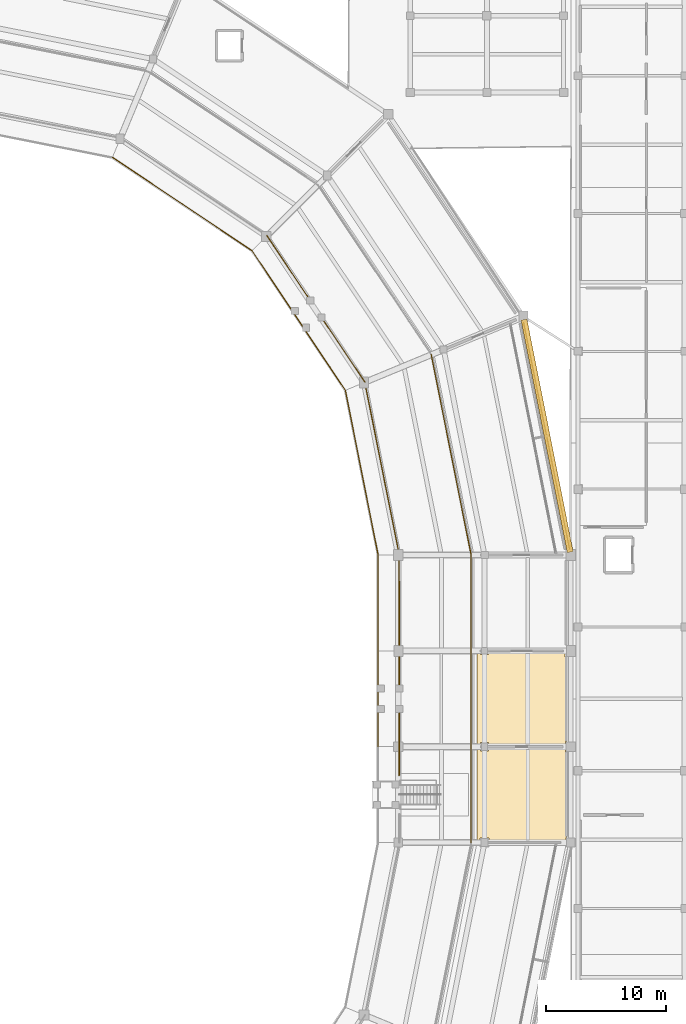
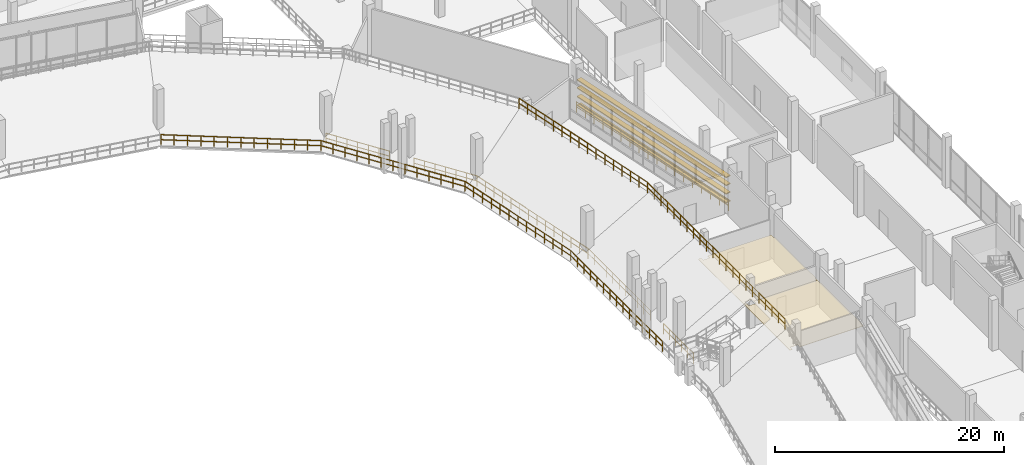
# One storey, part 115 of 127: 15 railings, 4 shading devices, 2 coverings.
"""IFC4 building model written with IfcOpenShell, lengths in metres."""

from ifc_helpers import new_model, si_unit, direction, frame, origin, origin_2d, place, context, subcontext, project, spatial, polyline, rectangle, circle, outline, extrude, material, layer, layer_set, type_object, element, save


model = new_model("IFC4")

# Units and contexts
model_context = context("Model", 3, precision=1e-05, world=origin(), true_north=direction((0.0, 1.0)))
body_context = subcontext(model_context, "Body", "Model", "MODEL_VIEW")
ifc_project = project(units=[si_unit("LENGTHUNIT", "METRE"), si_unit("AREAUNIT", "SQUARE_METRE"), si_unit("VOLUMEUNIT", "CUBIC_METRE"), si_unit("PLANEANGLEUNIT", "RADIAN"), si_unit("MASSUNIT", "GRAM", prefix="KILO")], contexts=[model_context])

# Site, building, storey
site_placement = place(None, origin())
site = spatial("IfcSite", under=ifc_project, at=site_placement, CompositionType="ELEMENT")
building_placement = place(site_placement, origin())
building = spatial("IfcBuilding", under=site, at=building_placement, Name="Candeia Ridge Stadium", CompositionType="ELEMENT")
storey_placement = place(building_placement, frame((0.0, 0.0, 10.800048828125)))
storey = spatial("IfcBuildingStorey", under=building, at=storey_placement, Name="L02", CompositionType="ELEMENT", Elevation=10.800048828125)

# Coverings
ifc_material_1 = material(Name="Western Red Cedar Acoustic Slat", Category="wood")
ifc_layer_1 = layer(ifc_material_1, 0.044921875, Name="Western Red Cedar Acoustic Slat", Category="wood")
ifc_layer_set_1 = layer_set([ifc_layer_1], Name="Western Red Cedar Acoustic Slat")
covering_type = type_object("IfcCoveringType", Name="Slatted Cedar Acoustic Ceiling 45", PredefinedType="CEILING", material=ifc_layer_set_1)
covering_1_placement = place(storey_placement, frame((0.0, 0.0, 2.510009765625)))
element("IfcCovering", 1, at=covering_1_placement, inside=storey, type_object=covering_type, Name="Acoustic ceiling Club Hospitality Suite L02-30", PredefinedType="CEILING", context=body_context, shape_type="SweptSolid", body=[
    extrude(outline(polyline([(185.170654296875, 79.005859375), (185.17138671875, 79.0087890625), (185.17236328125, 79.011474609375), (185.173583984375, 79.01416015625), (185.175048828125, 79.0166015625), (185.1767578125, 79.01904296875), (185.1787109375, 79.021240234375), (185.180908203125, 79.023193359375), (185.183349609375, 79.02490234375), (185.185791015625, 79.026611328125), (185.1884765625, 79.027587890625), (185.19140625, 79.02880859375), (185.194091796875, 79.029296875), (185.197021484375, 79.02978515625), (185.199951171875, 79.030029296875), (185.449951171875, 79.030029296875), (185.449951171875, 78.64990234375), (186.14990234375, 78.64990234375), (186.14990234375, 79.030029296875), (192.56005859375, 79.030029296875), (192.56005859375, 78.56005859375), (192.6298828125, 78.56005859375), (192.6298828125, 71.419921875), (192.580078125, 71.419921875), (192.580078125, 71.010009765625), (186.179931640625, 71.010009765625), (186.179931640625, 71.3798828125), (185.419921875, 71.3798828125), (185.419921875, 71.010009765625), (185.199951171875, 71.010009765625), (185.197021484375, 71.010009765625), (185.194091796875, 71.010498046875), (185.19140625, 71.01123046875), (185.1884765625, 71.01220703125), (185.185791015625, 71.013427734375), (185.183349609375, 71.01513671875), (185.180908203125, 71.016845703125), (185.1787109375, 71.018798828125), (185.1767578125, 71.02099609375), (185.175048828125, 71.023193359375), (185.173583984375, 71.02587890625), (185.17236328125, 71.028564453125), (185.17138671875, 71.03125), (185.170654296875, 71.0341796875), (185.170166015625, 71.037109375), (185.169921875, 71.0400390625), (185.169921875, 79.0), (185.170166015625, 79.0029296875), (185.170654296875, 79.005859375)])), origin(), (0.0, 0.0, 1.0), 0.0400390625),
])
covering_2_placement = place(storey_placement, frame((0.0, 0.0, 2.510009765625)))
element("IfcCovering", 2, at=covering_2_placement, inside=storey, type_object=covering_type, Name="Acoustic ceiling Club Lounge Champagne Bar L02-31", PredefinedType="CEILING", context=body_context, shape_type="SweptSolid", body=[
    extrude(outline(polyline([(185.170654296875, 87.005859375), (185.17138671875, 87.0087890625), (185.17236328125, 87.011474609375), (185.173583984375, 87.01416015625), (185.175048828125, 87.0166015625), (185.1767578125, 87.01904296875), (185.1787109375, 87.021240234375), (185.180908203125, 87.023193359375), (185.183349609375, 87.02490234375), (185.185791015625, 87.026611328125), (185.1884765625, 87.027587890625), (185.19140625, 87.02880859375), (185.194091796875, 87.029296875), (185.197021484375, 87.02978515625), (185.199951171875, 87.030029296875), (185.47998046875, 87.030029296875), (185.47998046875, 86.679931640625), (186.1201171875, 86.679931640625), (186.1201171875, 87.030029296875), (192.510009765625, 87.030029296875), (192.510009765625, 86.510009765625), (192.6298828125, 86.510009765625), (192.6298828125, 79.43994140625), (192.56005859375, 79.43994140625), (192.56005859375, 79.010009765625), (186.14990234375, 79.010009765625), (186.14990234375, 79.35009765625), (185.449951171875, 79.35009765625), (185.449951171875, 79.010009765625), (185.199951171875, 79.010009765625), (185.197021484375, 79.010009765625), (185.194091796875, 79.010498046875), (185.19140625, 79.01123046875), (185.1884765625, 79.01220703125), (185.185791015625, 79.013427734375), (185.183349609375, 79.01513671875), (185.180908203125, 79.016845703125), (185.1787109375, 79.018798828125), (185.1767578125, 79.02099609375), (185.175048828125, 79.023193359375), (185.173583984375, 79.02587890625), (185.17236328125, 79.028564453125), (185.17138671875, 79.03125), (185.170654296875, 79.0341796875), (185.170166015625, 79.037109375), (185.169921875, 79.0400390625), (185.169921875, 87.0), (185.170166015625, 87.0029296875), (185.170654296875, 87.005859375)])), origin(), (0.0, 0.0, 1.0), 0.0400390625),
])

# Railings
ifc_material_2 = material(Name="Galvanized Powder-Coated Steel", Category="steel")
ifc_layer_2 = layer(ifc_material_2, 0.074951171875, Name="Galvanized Powder-Coated Steel", Category="steel")
ifc_layer_set_2 = layer_set([ifc_layer_2], Name="Galvanized Powder-Coated Steel")
railing_type = type_object("IfcRailingType", Name="Spectator Bowl Front Guardrail 1120", PredefinedType="GUARDRAIL", material=ifc_layer_set_2)
for number, where, name in (
    (3, (184.679931640625, 71.0, 4.949951171875), "Stand T2 rear safety guardrail bay 30"),
    (4, (176.919921875, 79.0, 0.39990234375), "Stand T2 front safety guardrail bay 31"),
    (5, (184.679931640625, 79.0, 4.949951171875), "Stand T2 rear safety guardrail bay 31"),
    (6, (176.919921875, 87.0, 0.39990234375), "Stand T2 front safety guardrail bay 32"),
    (7, (184.679931640625, 87.0, 4.949951171875), "Stand T2 rear safety guardrail bay 32"),
):
    element("IfcRailing", number, at=place(storey_placement, frame(where)), inside=storey, type_object=railing_type, Name=name, PredefinedType="GUARDRAIL", context=body_context, shape_type="SweptSolid", body=[
        extrude(circle(Radius=0.02392578125, at=origin_2d()), frame((0.0, 0.0, 1.09619140625), z_axis=(0.0, 1.0, 0.0), x_axis=(-1.0, 0.0, 0.0)), (0.0, 0.0, 1.0), 8.0),
        extrude(circle(Radius=0.02392578125, at=origin_2d()), frame((0.0, 0.0, 0.56005859375), z_axis=(0.0, 1.0, 0.0), x_axis=(-1.0, 0.0, 0.0)), (0.0, 0.0, 1.0), 8.0),
        extrude(circle(Radius=0.02099609375, at=origin_2d()), origin(), (0.0, 0.0, 1.0), 1.072021484375),
        extrude(circle(Radius=0.02099609375, at=origin_2d()), frame((0.0, 1.142822265625, 0.0)), (0.0, 0.0, 1.0), 1.072021484375),
        extrude(circle(Radius=0.02099609375, at=origin_2d()), frame((0.0, 2.28564453125, 0.0)), (0.0, 0.0, 1.0), 1.072021484375),
        extrude(circle(Radius=0.02099609375, at=origin_2d()), frame((0.0, 3.428466796875, 0.0)), (0.0, 0.0, 1.0), 1.072021484375),
        extrude(circle(Radius=0.02099609375, at=origin_2d()), frame((0.0, 4.571533203125, 0.0)), (0.0, 0.0, 1.0), 1.072021484375),
        extrude(circle(Radius=0.02099609375, at=origin_2d()), frame((0.0, 5.71435546875, 0.0)), (0.0, 0.0, 1.0), 1.072021484375),
        extrude(circle(Radius=0.02099609375, at=origin_2d()), frame((0.0, 6.857177734375, 0.0)), (0.0, 0.0, 1.0), 1.072021484375),
        extrude(circle(Radius=0.02099609375, at=origin_2d()), frame((0.0, 8.0, 0.0)), (0.0, 0.0, 1.0), 1.072021484375),
    ])
railing_1_placement = place(storey_placement, frame((176.919921875, 95.0, 0.39990234375)))
element("IfcRailing", 8, at=railing_1_placement, inside=storey, type_object=railing_type, Name="Stand T2 front safety guardrail bay 33", PredefinedType="GUARDRAIL", context=body_context, shape_type="SweptSolid", body=[
    extrude(circle(Radius=0.02392578125, at=origin_2d()), frame((0.0, 0.0, 1.09619140625), z_axis=(-0.195080905976, 0.980787153323, 0.0), x_axis=(-0.980787153323, -0.195080905976, 0.0)), (0.0, 0.0, 1.0), 14.015380859375),
    extrude(circle(Radius=0.02392578125, at=origin_2d()), frame((0.0, 0.0, 0.56005859375), z_axis=(-0.195080905976, 0.980787153323, 0.0), x_axis=(-0.980787153323, -0.195080905976, 0.0)), (0.0, 0.0, 1.0), 14.015380859375),
    extrude(circle(Radius=0.02099609375, at=origin_2d()), origin(), (0.0, 0.0, 1.0), 1.072021484375),
    extrude(circle(Radius=0.02099609375, at=origin_2d()), frame((-0.227783203125, 1.1455078125, 0.0)), (0.0, 0.0, 1.0), 1.072021484375),
    extrude(circle(Radius=0.02099609375, at=origin_2d()), frame((-0.45556640625, 2.291015625, 0.0)), (0.0, 0.0, 1.0), 1.072021484375),
    extrude(circle(Radius=0.02099609375, at=origin_2d()), frame((-0.68359375, 3.4365234375, 0.0)), (0.0, 0.0, 1.0), 1.072021484375),
    extrude(circle(Radius=0.02099609375, at=origin_2d()), frame((-0.911376953125, 4.58203125, 0.0)), (0.0, 0.0, 1.0), 1.072021484375),
    extrude(circle(Radius=0.02099609375, at=origin_2d()), frame((-1.13916015625, 5.7275390625, 0.0)), (0.0, 0.0, 1.0), 1.072021484375),
    extrude(circle(Radius=0.02099609375, at=origin_2d()), frame((-1.3671875, 6.873046875, 0.0)), (0.0, 0.0, 1.0), 1.072021484375),
    extrude(circle(Radius=0.02099609375, at=origin_2d()), frame((-1.594970703125, 8.0185546875, 0.0)), (0.0, 0.0, 1.0), 1.072021484375),
    extrude(circle(Radius=0.02099609375, at=origin_2d()), frame((-1.82275390625, 9.1640625, 0.0)), (0.0, 0.0, 1.0), 1.072021484375),
    extrude(circle(Radius=0.02099609375, at=origin_2d()), frame((-2.050537109375, 10.3095703125, 0.0)), (0.0, 0.0, 1.0), 1.072021484375),
    extrude(circle(Radius=0.02099609375, at=origin_2d()), frame((-2.2783203125, 11.455078125, 0.0)), (0.0, 0.0, 1.0), 1.072021484375),
    extrude(circle(Radius=0.02099609375, at=origin_2d()), frame((-2.50634765625, 12.6005859375, 0.0)), (0.0, 0.0, 1.0), 1.072021484375),
    extrude(circle(Radius=0.02099609375, at=origin_2d()), frame((-2.734130859375, 13.74609375, 0.0)), (0.0, 0.0, 1.0), 1.072021484375),
])
railing_2_placement = place(storey_placement, frame((184.679931640625, 95.0, 4.949951171875)))
element("IfcRailing", 9, at=railing_2_placement, inside=storey, type_object=railing_type, Name="Stand T2 rear safety guardrail bay 33", PredefinedType="GUARDRAIL", context=body_context, shape_type="SweptSolid", body=[
    extrude(circle(Radius=0.02392578125, at=origin_2d()), frame((0.0, 0.0, 1.09619140625), z_axis=(-0.195091244467, 0.980785096916, 0.0), x_axis=(-0.980785096916, -0.195091244467, 0.0)), (0.0, 0.0, 1.0), 17.04296875),
    extrude(circle(Radius=0.02392578125, at=origin_2d()), frame((0.0, 0.0, 0.56005859375), z_axis=(-0.195091244467, 0.980785096916, 0.0), x_axis=(-0.980785096916, -0.195091244467, 0.0)), (0.0, 0.0, 1.0), 17.04296875),
    extrude(circle(Radius=0.02099609375, at=origin_2d()), origin(), (0.0, 0.0, 1.0), 1.072021484375),
    extrude(circle(Radius=0.02099609375, at=origin_2d()), frame((-0.2216796875, 1.1142578125, 0.0)), (0.0, 0.0, 1.0), 1.072021484375),
    extrude(circle(Radius=0.02099609375, at=origin_2d()), frame((-0.443359375, 2.228759765625, 0.0)), (0.0, 0.0, 1.0), 1.072021484375),
    extrude(circle(Radius=0.02099609375, at=origin_2d()), frame((-0.6650390625, 3.343017578125, 0.0)), (0.0, 0.0, 1.0), 1.072021484375),
    extrude(circle(Radius=0.02099609375, at=origin_2d()), frame((-0.88671875, 4.45751953125, 0.0)), (0.0, 0.0, 1.0), 1.072021484375),
    extrude(circle(Radius=0.02099609375, at=origin_2d()), frame((-1.1083984375, 5.57177734375, 0.0)), (0.0, 0.0, 1.0), 1.072021484375),
    extrude(circle(Radius=0.02099609375, at=origin_2d()), frame((-1.330078125, 6.686279296875, 0.0)), (0.0, 0.0, 1.0), 1.072021484375),
    extrude(circle(Radius=0.02099609375, at=origin_2d()), frame((-1.5517578125, 7.800537109375, 0.0)), (0.0, 0.0, 1.0), 1.072021484375),
    extrude(circle(Radius=0.02099609375, at=origin_2d()), frame((-1.773193359375, 8.9150390625, 0.0)), (0.0, 0.0, 1.0), 1.072021484375),
    extrude(circle(Radius=0.02099609375, at=origin_2d()), frame((-1.994873046875, 10.029296875, 0.0)), (0.0, 0.0, 1.0), 1.072021484375),
    extrude(circle(Radius=0.02099609375, at=origin_2d()), frame((-2.216552734375, 11.143798828125, 0.0)), (0.0, 0.0, 1.0), 1.072021484375),
    extrude(circle(Radius=0.02099609375, at=origin_2d()), frame((-2.438232421875, 12.258056640625, 0.0)), (0.0, 0.0, 1.0), 1.072021484375),
    extrude(circle(Radius=0.02099609375, at=origin_2d()), frame((-2.659912109375, 13.37255859375, 0.0)), (0.0, 0.0, 1.0), 1.072021484375),
    extrude(circle(Radius=0.02099609375, at=origin_2d()), frame((-2.881591796875, 14.48681640625, 0.0)), (0.0, 0.0, 1.0), 1.072021484375),
    extrude(circle(Radius=0.02099609375, at=origin_2d()), frame((-3.103271484375, 15.601318359375, 0.0)), (0.0, 0.0, 1.0), 1.072021484375),
    extrude(circle(Radius=0.02099609375, at=origin_2d()), frame((-3.324951171875, 16.715576171875, 0.0)), (0.0, 0.0, 1.0), 1.072021484375),
])
railing_3_placement = place(storey_placement, frame((174.185791015625, 108.74609375, 0.39990234375)))
element("IfcRailing", 10, at=railing_3_placement, inside=storey, type_object=railing_type, Name="Stand T2 front safety guardrail bay 34", PredefinedType="GUARDRAIL", context=body_context, shape_type="SweptSolid", body=[
    extrude(circle(Radius=0.02392578125, at=origin_2d()), frame((0.0, 0.0, 1.09619140625), z_axis=(-0.555584268224, 0.831460234107, 0.0), x_axis=(-0.831460234107, -0.555584268224, 0.0)), (0.0, 0.0, 1.0), 14.01513671875),
    extrude(circle(Radius=0.02392578125, at=origin_2d()), frame((0.0, 0.0, 0.56005859375), z_axis=(-0.555584268224, 0.831460234107, 0.0), x_axis=(-0.831460234107, -0.555584268224, 0.0)), (0.0, 0.0, 1.0), 14.01513671875),
    extrude(circle(Radius=0.02099609375, at=origin_2d()), origin(), (0.0, 0.0, 1.0), 1.072021484375),
    extrude(circle(Radius=0.02099609375, at=origin_2d()), frame((-0.64892578125, 0.97119140625, 0.0)), (0.0, 0.0, 1.0), 1.072021484375),
    extrude(circle(Radius=0.02099609375, at=origin_2d()), frame((-1.2978515625, 1.942138671875, 0.0)), (0.0, 0.0, 1.0), 1.072021484375),
    extrude(circle(Radius=0.02099609375, at=origin_2d()), frame((-1.94677734375, 2.913330078125, 0.0)), (0.0, 0.0, 1.0), 1.072021484375),
    extrude(circle(Radius=0.02099609375, at=origin_2d()), frame((-2.595458984375, 3.88427734375, 0.0)), (0.0, 0.0, 1.0), 1.072021484375),
    extrude(circle(Radius=0.02099609375, at=origin_2d()), frame((-3.244384765625, 4.85546875, 0.0)), (0.0, 0.0, 1.0), 1.072021484375),
    extrude(circle(Radius=0.02099609375, at=origin_2d()), frame((-3.893310546875, 5.82666015625, 0.0)), (0.0, 0.0, 1.0), 1.072021484375),
    extrude(circle(Radius=0.02099609375, at=origin_2d()), frame((-4.542236328125, 6.797607421875, 0.0)), (0.0, 0.0, 1.0), 1.072021484375),
    extrude(circle(Radius=0.02099609375, at=origin_2d()), frame((-5.191162109375, 7.768798828125, 0.0)), (0.0, 0.0, 1.0), 1.072021484375),
    extrude(circle(Radius=0.02099609375, at=origin_2d()), frame((-5.83984375, 8.73974609375, 0.0)), (0.0, 0.0, 1.0), 1.072021484375),
    extrude(circle(Radius=0.02099609375, at=origin_2d()), frame((-6.48876953125, 9.7109375, 0.0)), (0.0, 0.0, 1.0), 1.072021484375),
    extrude(circle(Radius=0.02099609375, at=origin_2d()), frame((-7.1376953125, 10.681884765625, 0.0)), (0.0, 0.0, 1.0), 1.072021484375),
    extrude(circle(Radius=0.02099609375, at=origin_2d()), frame((-7.78662109375, 11.653076171875, 0.0)), (0.0, 0.0, 1.0), 1.072021484375),
])
railing_4_placement = place(storey_placement, frame((166.399169921875, 120.399169921875, 0.39990234375)))
element("IfcRailing", 11, at=railing_4_placement, inside=storey, type_object=railing_type, Name="Stand T2 front safety guardrail bay 35", PredefinedType="GUARDRAIL", context=body_context, shape_type="SweptSolid", body=[
    extrude(circle(Radius=0.02392578125, at=origin_2d()), frame((0.0, 0.0, 1.09619140625), z_axis=(-0.831460234107, 0.555584268224, 0.0), x_axis=(-0.555584268224, -0.831460234107, 0.0)), (0.0, 0.0, 1.0), 14.01513671875),
    extrude(circle(Radius=0.02392578125, at=origin_2d()), frame((0.0, 0.0, 0.56005859375), z_axis=(-0.831460234107, 0.555584268224, 0.0), x_axis=(-0.555584268224, -0.831460234107, 0.0)), (0.0, 0.0, 1.0), 14.01513671875),
    extrude(circle(Radius=0.02099609375, at=origin_2d()), origin(), (0.0, 0.0, 1.0), 1.072021484375),
    extrude(circle(Radius=0.02099609375, at=origin_2d()), frame((-0.97119140625, 0.64892578125, 0.0)), (0.0, 0.0, 1.0), 1.072021484375),
    extrude(circle(Radius=0.02099609375, at=origin_2d()), frame((-1.942138671875, 1.2978515625, 0.0)), (0.0, 0.0, 1.0), 1.072021484375),
    extrude(circle(Radius=0.02099609375, at=origin_2d()), frame((-2.913330078125, 1.94677734375, 0.0)), (0.0, 0.0, 1.0), 1.072021484375),
    extrude(circle(Radius=0.02099609375, at=origin_2d()), frame((-3.88427734375, 2.595458984375, 0.0)), (0.0, 0.0, 1.0), 1.072021484375),
    extrude(circle(Radius=0.02099609375, at=origin_2d()), frame((-4.85546875, 3.244384765625, 0.0)), (0.0, 0.0, 1.0), 1.072021484375),
    extrude(circle(Radius=0.02099609375, at=origin_2d()), frame((-5.82666015625, 3.893310546875, 0.0)), (0.0, 0.0, 1.0), 1.072021484375),
    extrude(circle(Radius=0.02099609375, at=origin_2d()), frame((-6.797607421875, 4.542236328125, 0.0)), (0.0, 0.0, 1.0), 1.072021484375),
    extrude(circle(Radius=0.02099609375, at=origin_2d()), frame((-7.768798828125, 5.191162109375, 0.0)), (0.0, 0.0, 1.0), 1.072021484375),
    extrude(circle(Radius=0.02099609375, at=origin_2d()), frame((-8.73974609375, 5.83984375, 0.0)), (0.0, 0.0, 1.0), 1.072021484375),
    extrude(circle(Radius=0.02099609375, at=origin_2d()), frame((-9.7109375, 6.48876953125, 0.0)), (0.0, 0.0, 1.0), 1.072021484375),
    extrude(circle(Radius=0.02099609375, at=origin_2d()), frame((-10.681884765625, 7.1376953125, 0.0)), (0.0, 0.0, 1.0), 1.072021484375),
    extrude(circle(Radius=0.02099609375, at=origin_2d()), frame((-11.653076171875, 7.78662109375, 0.0)), (0.0, 0.0, 1.0), 1.072021484375),
])
railing_5_placement = place(storey_placement, frame((188.963134765625, 114.8837890625, 0.0)))
element("IfcRailing", 12, at=railing_5_placement, inside=storey, type_object=railing_type, Name="Deck edge safety guardrail GR-DE-L02-0074", PredefinedType="GUARDRAIL", context=body_context, shape_type="SweptSolid", body=[
    extrude(circle(Radius=0.02392578125, at=origin_2d()), frame((0.0, 0.0, 1.09619140625), z_axis=(0.198632089417, -0.980074126306, 0.0), x_axis=(0.980074126306, 0.198632089417, 0.0)), (0.0, 0.0, 1.0), 20.055419921875),
    extrude(circle(Radius=0.02392578125, at=origin_2d()), frame((0.0, 0.0, 0.56005859375), z_axis=(0.198632089417, -0.980074126306, 0.0), x_axis=(0.980074126306, 0.198632089417, 0.0)), (0.0, 0.0, 1.0), 20.055419921875),
    extrude(circle(Radius=0.02099609375, at=origin_2d()), origin(), (0.0, 0.0, 1.0), 1.072021484375),
    extrude(circle(Radius=0.02099609375, at=origin_2d()), frame((0.234375, -1.15625, 0.0)), (0.0, 0.0, 1.0), 1.072021484375),
    extrude(circle(Radius=0.02099609375, at=origin_2d()), frame((0.46875, -2.3125, 0.0)), (0.0, 0.0, 1.0), 1.072021484375),
    extrude(circle(Radius=0.02099609375, at=origin_2d()), frame((0.702880859375, -3.46875, 0.0)), (0.0, 0.0, 1.0), 1.072021484375),
    extrude(circle(Radius=0.02099609375, at=origin_2d()), frame((0.937255859375, -4.625, 0.0)), (0.0, 0.0, 1.0), 1.072021484375),
    extrude(circle(Radius=0.02099609375, at=origin_2d()), frame((1.171630859375, -5.781005859375, 0.0)), (0.0, 0.0, 1.0), 1.072021484375),
    extrude(circle(Radius=0.02099609375, at=origin_2d()), frame((1.406005859375, -6.937255859375, 0.0)), (0.0, 0.0, 1.0), 1.072021484375),
    extrude(circle(Radius=0.02099609375, at=origin_2d()), frame((1.640380859375, -8.093505859375, 0.0)), (0.0, 0.0, 1.0), 1.072021484375),
    extrude(circle(Radius=0.02099609375, at=origin_2d()), frame((1.874755859375, -9.249755859375, 0.0)), (0.0, 0.0, 1.0), 1.072021484375),
    extrude(circle(Radius=0.02099609375, at=origin_2d()), frame((2.10888671875, -10.406005859375, 0.0)), (0.0, 0.0, 1.0), 1.072021484375),
    extrude(circle(Radius=0.02099609375, at=origin_2d()), frame((2.34326171875, -11.562255859375, 0.0)), (0.0, 0.0, 1.0), 1.072021484375),
    extrude(circle(Radius=0.02099609375, at=origin_2d()), frame((2.57763671875, -12.718505859375, 0.0)), (0.0, 0.0, 1.0), 1.072021484375),
    extrude(circle(Radius=0.02099609375, at=origin_2d()), frame((2.81201171875, -13.874755859375, 0.0)), (0.0, 0.0, 1.0), 1.072021484375),
    extrude(circle(Radius=0.02099609375, at=origin_2d()), frame((3.04638671875, -15.03076171875, 0.0)), (0.0, 0.0, 1.0), 1.072021484375),
    extrude(circle(Radius=0.02099609375, at=origin_2d()), frame((3.28076171875, -16.18701171875, 0.0)), (0.0, 0.0, 1.0), 1.072021484375),
    extrude(circle(Radius=0.02099609375, at=origin_2d()), frame((3.514892578125, -17.34326171875, 0.0)), (0.0, 0.0, 1.0), 1.072021484375),
    extrude(circle(Radius=0.02099609375, at=origin_2d()), frame((3.749267578125, -18.49951171875, 0.0)), (0.0, 0.0, 1.0), 1.072021484375),
    extrude(circle(Radius=0.02099609375, at=origin_2d()), frame((3.983642578125, -19.65576171875, 0.0)), (0.0, 0.0, 1.0), 1.072021484375),
])
railing_6_placement = place(storey_placement, frame((178.679931640625, 76.602294921875, 0.0)))
element("IfcRailing", 13, at=railing_6_placement, inside=storey, type_object=railing_type, Name="Deck edge safety guardrail GR-DE-L02-0093", PredefinedType="GUARDRAIL", context=body_context, shape_type="SweptSolid", body=[
    extrude(circle(Radius=0.02392578125, at=origin_2d()), frame((0.0, 0.0, 1.09619140625), z_axis=(0.0, 1.0, 0.0), x_axis=(-1.0, 0.0, 0.0)), (0.0, 0.0, 1.0), 5.207763671875),
    extrude(circle(Radius=0.02392578125, at=origin_2d()), frame((0.0, 0.0, 0.56005859375), z_axis=(0.0, 1.0, 0.0), x_axis=(-1.0, 0.0, 0.0)), (0.0, 0.0, 1.0), 5.207763671875),
    extrude(circle(Radius=0.02099609375, at=origin_2d()), origin(), (0.0, 0.0, 1.0), 1.072021484375),
    extrude(circle(Radius=0.02099609375, at=origin_2d()), frame((0.0, 1.04150390625, 0.0)), (0.0, 0.0, 1.0), 1.072021484375),
    extrude(circle(Radius=0.02099609375, at=origin_2d()), frame((0.0, 2.0830078125, 0.0)), (0.0, 0.0, 1.0), 1.072021484375),
    extrude(circle(Radius=0.02099609375, at=origin_2d()), frame((0.0, 3.124755859375, 0.0)), (0.0, 0.0, 1.0), 1.072021484375),
    extrude(circle(Radius=0.02099609375, at=origin_2d()), frame((0.0, 4.166259765625, 0.0)), (0.0, 0.0, 1.0), 1.072021484375),
    extrude(circle(Radius=0.02099609375, at=origin_2d()), frame((0.0, 5.207763671875, 0.0)), (0.0, 0.0, 1.0), 1.072021484375),
])
railing_7_placement = place(storey_placement, frame((178.679931640625, 84.18994140625, 0.0)))
element("IfcRailing", 14, at=railing_7_placement, inside=storey, type_object=railing_type, Name="Deck edge safety guardrail GR-DE-L02-0094", PredefinedType="GUARDRAIL", context=body_context, shape_type="SweptSolid", body=[
    extrude(circle(Radius=0.02392578125, at=origin_2d()), frame((0.0, 0.0, 1.09619140625), z_axis=(-0.000135311893, 0.999999990845, 0.0), x_axis=(-0.999999990845, -0.000135311893, 0.0)), (0.0, 0.0, 1.0), 10.82568359375),
    extrude(circle(Radius=0.02392578125, at=origin_2d()), frame((0.0, 0.0, 0.56005859375), z_axis=(-0.000135311893, 0.999999990845, 0.0), x_axis=(-0.999999990845, -0.000135311893, 0.0)), (0.0, 0.0, 1.0), 10.82568359375),
    extrude(circle(Radius=0.02099609375, at=origin_2d()), origin(), (0.0, 0.0, 1.0), 1.072021484375),
    extrude(circle(Radius=0.02099609375, at=origin_2d()), frame((-0.000244140625, 1.08251953125, 0.0)), (0.0, 0.0, 1.0), 1.072021484375),
    extrude(circle(Radius=0.02099609375, at=origin_2d()), frame((-0.000244140625, 2.1650390625, 0.0)), (0.0, 0.0, 1.0), 1.072021484375),
    extrude(circle(Radius=0.02099609375, at=origin_2d()), frame((-0.00048828125, 3.247802734375, 0.0)), (0.0, 0.0, 1.0), 1.072021484375),
    extrude(circle(Radius=0.02099609375, at=origin_2d()), frame((-0.00048828125, 4.330322265625, 0.0)), (0.0, 0.0, 1.0), 1.072021484375),
    extrude(circle(Radius=0.02099609375, at=origin_2d()), frame((-0.000732421875, 5.412841796875, 0.0)), (0.0, 0.0, 1.0), 1.072021484375),
    extrude(circle(Radius=0.02099609375, at=origin_2d()), frame((-0.0009765625, 6.495361328125, 0.0)), (0.0, 0.0, 1.0), 1.072021484375),
    extrude(circle(Radius=0.02099609375, at=origin_2d()), frame((-0.0009765625, 7.577880859375, 0.0)), (0.0, 0.0, 1.0), 1.072021484375),
    extrude(circle(Radius=0.02099609375, at=origin_2d()), frame((-0.001220703125, 8.66064453125, 0.0)), (0.0, 0.0, 1.0), 1.072021484375),
    extrude(circle(Radius=0.02099609375, at=origin_2d()), frame((-0.001220703125, 9.7431640625, 0.0)), (0.0, 0.0, 1.0), 1.072021484375),
    extrude(circle(Radius=0.02099609375, at=origin_2d()), frame((-0.00146484375, 10.82568359375, 0.0)), (0.0, 0.0, 1.0), 1.072021484375),
])
railing_8_placement = place(storey_placement, frame((178.678466796875, 95.015625, 0.0)))
element("IfcRailing", 15, at=railing_8_placement, inside=storey, type_object=railing_type, Name="Deck edge safety guardrail GR-DE-L02-0095", PredefinedType="GUARDRAIL", context=body_context, shape_type="SweptSolid", body=[
    extrude(circle(Radius=0.02392578125, at=origin_2d()), frame((0.0, 0.0, 1.09619140625), z_axis=(-0.19549334665, 0.98070502773, 0.0), x_axis=(-0.98070502773, -0.19549334665, 0.0)), (0.0, 0.0, 1.0), 14.701416015625),
    extrude(circle(Radius=0.02392578125, at=origin_2d()), frame((0.0, 0.0, 0.56005859375), z_axis=(-0.19549334665, 0.98070502773, 0.0), x_axis=(-0.98070502773, -0.19549334665, 0.0)), (0.0, 0.0, 1.0), 14.701416015625),
    extrude(circle(Radius=0.02099609375, at=origin_2d()), origin(), (0.0, 0.0, 1.0), 1.072021484375),
    extrude(circle(Radius=0.02099609375, at=origin_2d()), frame((-0.22119140625, 1.109130859375, 0.0)), (0.0, 0.0, 1.0), 1.072021484375),
    extrude(circle(Radius=0.02099609375, at=origin_2d()), frame((-0.442138671875, 2.218017578125, 0.0)), (0.0, 0.0, 1.0), 1.072021484375),
    extrude(circle(Radius=0.02099609375, at=origin_2d()), frame((-0.663330078125, 3.3271484375, 0.0)), (0.0, 0.0, 1.0), 1.072021484375),
    extrude(circle(Radius=0.02099609375, at=origin_2d()), frame((-0.88427734375, 4.436279296875, 0.0)), (0.0, 0.0, 1.0), 1.072021484375),
    extrude(circle(Radius=0.02099609375, at=origin_2d()), frame((-1.10546875, 5.545166015625, 0.0)), (0.0, 0.0, 1.0), 1.072021484375),
    extrude(circle(Radius=0.02099609375, at=origin_2d()), frame((-1.326416015625, 6.654296875, 0.0)), (0.0, 0.0, 1.0), 1.072021484375),
    extrude(circle(Radius=0.02099609375, at=origin_2d()), frame((-1.547607421875, 7.763427734375, 0.0)), (0.0, 0.0, 1.0), 1.072021484375),
    extrude(circle(Radius=0.02099609375, at=origin_2d()), frame((-1.7685546875, 8.87255859375, 0.0)), (0.0, 0.0, 1.0), 1.072021484375),
    extrude(circle(Radius=0.02099609375, at=origin_2d()), frame((-1.98974609375, 9.9814453125, 0.0)), (0.0, 0.0, 1.0), 1.072021484375),
    extrude(circle(Radius=0.02099609375, at=origin_2d()), frame((-2.210693359375, 11.090576171875, 0.0)), (0.0, 0.0, 1.0), 1.072021484375),
    extrude(circle(Radius=0.02099609375, at=origin_2d()), frame((-2.431884765625, 12.19970703125, 0.0)), (0.0, 0.0, 1.0), 1.072021484375),
    extrude(circle(Radius=0.02099609375, at=origin_2d()), frame((-2.65283203125, 13.30859375, 0.0)), (0.0, 0.0, 1.0), 1.072021484375),
    extrude(circle(Radius=0.02099609375, at=origin_2d()), frame((-2.8740234375, 14.417724609375, 0.0)), (0.0, 0.0, 1.0), 1.072021484375),
])
railing_9_placement = place(storey_placement, frame((175.804443359375, 109.433349609375, 0.0)))
element("IfcRailing", 16, at=railing_9_placement, inside=storey, type_object=railing_type, Name="Deck edge safety guardrail GR-DE-L02-0096", PredefinedType="GUARDRAIL", context=body_context, shape_type="SweptSolid", body=[
    extrude(circle(Radius=0.02392578125, at=origin_2d()), frame((0.0, 0.0, 1.09619140625), z_axis=(-0.555580177427, 0.831462967576, 0.0), x_axis=(-0.831462967576, -0.555580177427, 0.0)), (0.0, 0.0, 1.0), 6.14404296875),
    extrude(circle(Radius=0.02392578125, at=origin_2d()), frame((0.0, 0.0, 0.56005859375), z_axis=(-0.555580177427, 0.831462967576, 0.0), x_axis=(-0.831462967576, -0.555580177427, 0.0)), (0.0, 0.0, 1.0), 6.14404296875),
    extrude(circle(Radius=0.02099609375, at=origin_2d()), origin(), (0.0, 0.0, 1.0), 1.072021484375),
    extrude(circle(Radius=0.02099609375, at=origin_2d()), frame((-0.56884765625, 0.8515625, 0.0)), (0.0, 0.0, 1.0), 1.072021484375),
    extrude(circle(Radius=0.02099609375, at=origin_2d()), frame((-1.137939453125, 1.702880859375, 0.0)), (0.0, 0.0, 1.0), 1.072021484375),
    extrude(circle(Radius=0.02099609375, at=origin_2d()), frame((-1.706787109375, 2.55419921875, 0.0)), (0.0, 0.0, 1.0), 1.072021484375),
    extrude(circle(Radius=0.02099609375, at=origin_2d()), frame((-2.275634765625, 3.40576171875, 0.0)), (0.0, 0.0, 1.0), 1.072021484375),
    extrude(circle(Radius=0.02099609375, at=origin_2d()), frame((-2.8447265625, 4.25732421875, 0.0)), (0.0, 0.0, 1.0), 1.072021484375),
    extrude(circle(Radius=0.02099609375, at=origin_2d()), frame((-3.41357421875, 5.108642578125, 0.0)), (0.0, 0.0, 1.0), 1.072021484375),
])
railing_10_placement = place(storey_placement, frame((171.0673828125, 116.52294921875, 0.0)))
element("IfcRailing", 17, at=railing_10_placement, inside=storey, type_object=railing_type, Name="Deck edge safety guardrail GR-DE-L02-0097", PredefinedType="GUARDRAIL", context=body_context, shape_type="SweptSolid", body=[
    extrude(circle(Radius=0.02392578125, at=origin_2d()), frame((0.0, 0.0, 1.09619140625), z_axis=(-0.556405206712, 0.830911093886, 0.0), x_axis=(-0.830911093886, -0.556405206712, 0.0)), (0.0, 0.0, 1.0), 6.175048828125),
    extrude(circle(Radius=0.02392578125, at=origin_2d()), frame((0.0, 0.0, 0.56005859375), z_axis=(-0.556405206712, 0.830911093886, 0.0), x_axis=(-0.830911093886, -0.556405206712, 0.0)), (0.0, 0.0, 1.0), 6.175048828125),
    extrude(circle(Radius=0.02099609375, at=origin_2d()), origin(), (0.0, 0.0, 1.0), 1.072021484375),
    extrude(circle(Radius=0.02099609375, at=origin_2d()), frame((-0.57275390625, 0.855224609375, 0.0)), (0.0, 0.0, 1.0), 1.072021484375),
    extrude(circle(Radius=0.02099609375, at=origin_2d()), frame((-1.145263671875, 1.710205078125, 0.0)), (0.0, 0.0, 1.0), 1.072021484375),
    extrude(circle(Radius=0.02099609375, at=origin_2d()), frame((-1.7177734375, 2.5654296875, 0.0)), (0.0, 0.0, 1.0), 1.072021484375),
    extrude(circle(Radius=0.02099609375, at=origin_2d()), frame((-2.29052734375, 3.420654296875, 0.0)), (0.0, 0.0, 1.0), 1.072021484375),
    extrude(circle(Radius=0.02099609375, at=origin_2d()), frame((-2.86328125, 4.275634765625, 0.0)), (0.0, 0.0, 1.0), 1.072021484375),
    extrude(circle(Radius=0.02099609375, at=origin_2d()), frame((-3.435791015625, 5.130859375, 0.0)), (0.0, 0.0, 1.0), 1.072021484375),
])

# Shading devices
ifc_material_3 = material(Name="Aluminium Anodized Warm Bronze", Category="aluminium")
shading_device_type = type_object("IfcShadingDeviceType", Name="Weathered Bronze Horizontal Solar Rib 500x105", PredefinedType="JALOUSIE", material=ifc_material_3)
for number, where, z_axis, x_axis, name in (
    (18, (191.020751953125, 104.94970703125, 0.874755859375), (0.0, 0.0, 1.0), (-0.195090311899, 0.980785282416, 0.0), "Weathered bronze horizontal solar rib L02 bay 33-1"),
    (19, (191.020751953125, 104.94970703125, 1.802001953125), (0.0, 0.0, 1.0), (-0.195090311899, 0.980785282416, 0.0), "Weathered bronze horizontal solar rib L02 bay 33-2"),
    (20, (191.020751953125, 104.94970703125, 2.729248046875), (0.0, 0.0, 1.0), (-0.195090311899, 0.980785282416, 0.0), "Weathered bronze horizontal solar rib L02 bay 33-3"),
    (21, (191.020751953125, 104.94970703125, 3.572265625), (0.0, 0.0, 1.0), (-0.195090311899, 0.980785282416, 0.0), "Weathered bronze horizontal solar rib L02 bay 33-4"),
):
    element("IfcShadingDevice", number, at=place(storey_placement, frame(where, z_axis=z_axis, x_axis=x_axis)), inside=storey, type_object=shading_device_type, Name=name, PredefinedType="JALOUSIE", context=body_context, shape_type="SweptSolid", body=[
        extrude(rectangle(XDim=19.789306640625, YDim=0.5, at=origin_2d()), origin(), (0.0, 0.0, 1.0), 0.10498046875),
    ])

save(model, "model.ifc")
